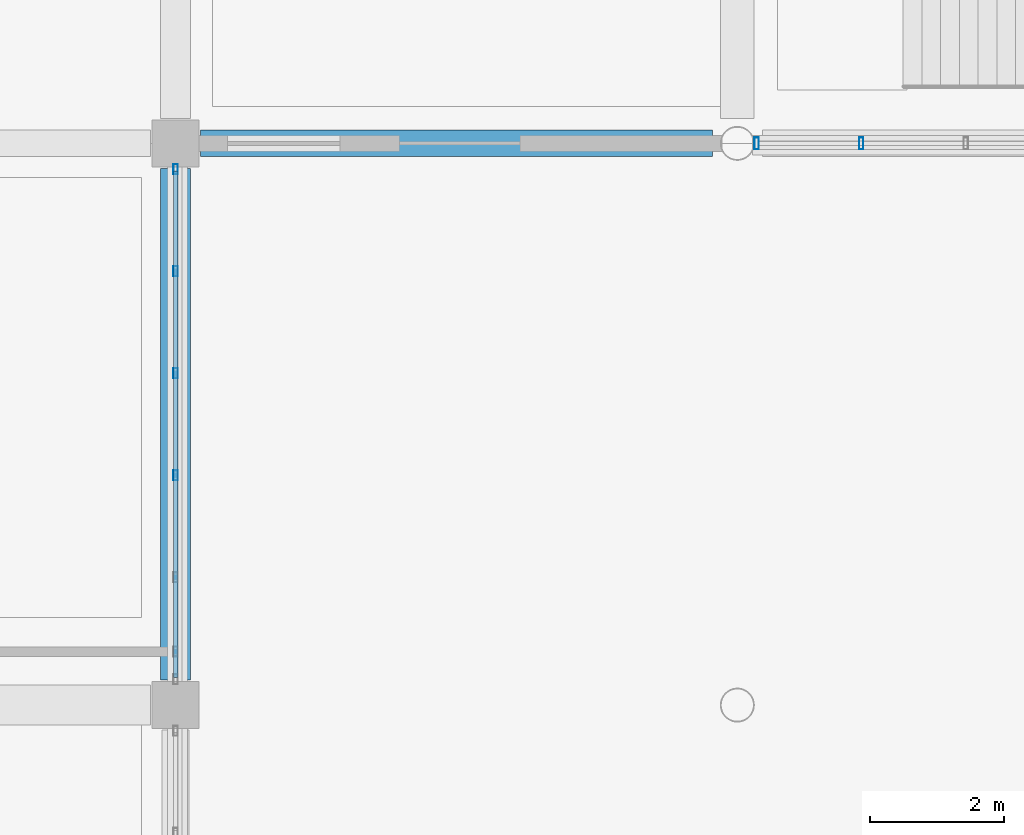
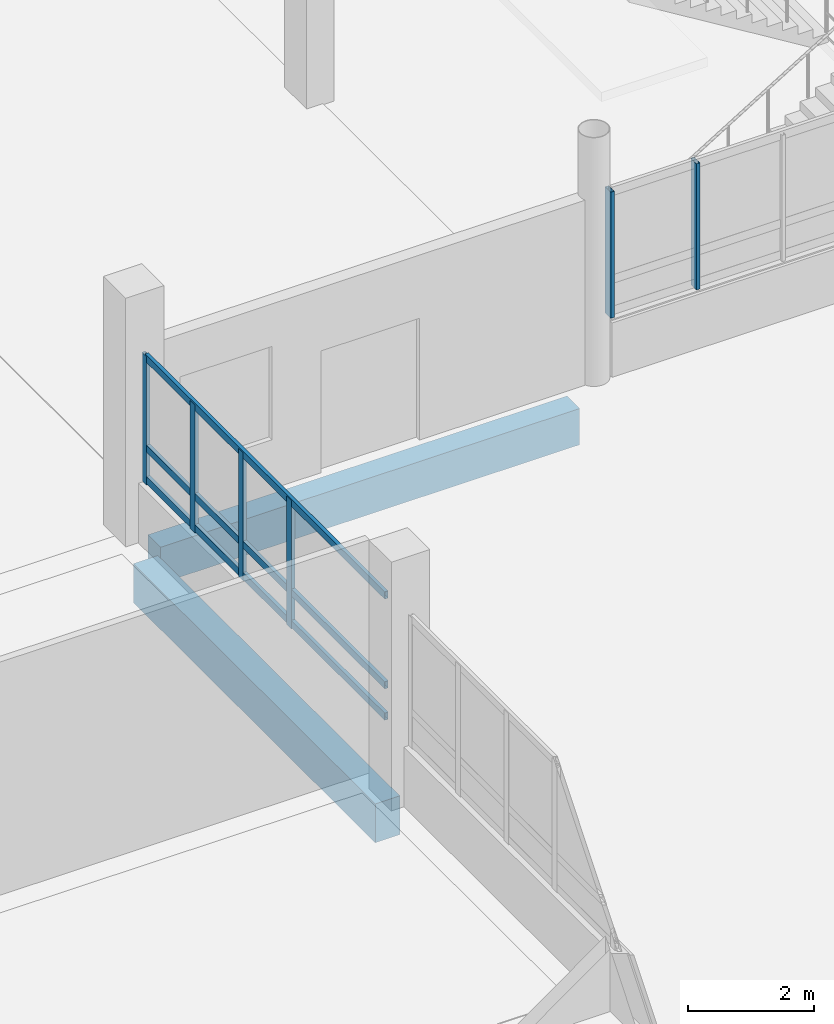
# One storey, part 46 of 95: 9 members, 2 beams, 2 elements without a shape of their own.
"""IFC4 building model written with IfcOpenShell, lengths in metres."""

from ifc_helpers import new_model, si_unit, direction, frame, origin, origin_2d, place, context, subcontext, project, spatial, rectangle, hollow_rectangle, extrude, material, layer, layer_set, material_profile, profile_set, type_object, element, aggregate, save


model = new_model("IFC4")

# Units and contexts
model_context = context("Model", 3, precision=1e-05, world=origin(), true_north=direction((0.0, 1.0)))
body_context = subcontext(model_context, "Body", "Model", "MODEL_VIEW")
ifc_project = project(units=[si_unit("LENGTHUNIT", "METRE"), si_unit("AREAUNIT", "SQUARE_METRE"), si_unit("VOLUMEUNIT", "CUBIC_METRE"), si_unit("PLANEANGLEUNIT", "RADIAN"), si_unit("MASSUNIT", "GRAM", prefix="KILO")], contexts=[model_context])

# Site, building, storey
site_placement = place(None, origin())
site = spatial("IfcSite", under=ifc_project, at=site_placement, CompositionType="ELEMENT")
building_placement = place(site_placement, origin())
building = spatial("IfcBuilding", under=site, at=building_placement, Name="Vireocrest Preparatory School", CompositionType="ELEMENT")
storey_placement = place(building_placement, origin())
storey = spatial("IfcBuildingStorey", under=building, at=storey_placement, Name="L00", CompositionType="ELEMENT", Elevation=0.0)

# Curtain wall, members
ifc_material_1 = material(Name="Thermally broken aluminium EN AW-6063-T6", Category="aluminium")
ifc_layer_1 = layer(ifc_material_1, 0.179931640625)
ifc_layer_set_1 = layer_set([ifc_layer_1], Name="Thermally broken aluminium EN AW-6063-T6")
curtain_wall_type_1 = type_object("IfcCurtainWallType", Name="Court Banded Curtain Wall 8400x3600", PredefinedType="USERDEFINED", material=ifc_layer_set_1)
curtain_wall_1_placement = place(storey_placement, origin())
curtain_wall_1 = element("IfcCurtainWall", 1, at=curtain_wall_1_placement, inside=storey, type_object=curtain_wall_type_1, Name="Curtain Wall CW01 CW_L00_CW01_0672_0777_012", ObjectType="CURTAIN WALL", PredefinedType="USERDEFINED")
ifc_material_profile_1 = material_profile(ifc_material_1, hollow_rectangle(XDim=0.06494140625, YDim=0.14990234375, WallThickness=0.00390625, at=origin_2d()), Name="ALU 65x150x4")
ifc_profile_set_1 = profile_set([ifc_material_profile_1], Name="Thermally broken aluminium EN AW-6063-T6")
member_type_1 = type_object("IfcMemberType", Name="CW Mullion 65x150x4", PredefinedType="MULLION", material=ifc_profile_set_1)
member_1_placement = place(storey_placement, frame((67.199951171875, 80.8369140625, 1.14990234375), z_axis=(0.0, 0.0, 1.0), x_axis=(1.0, 0.0, 0.0)))
member_1 = element("IfcMember", 2, at=member_1_placement, type_object=member_type_1, Name="CW Mullion ML1 CW_L00_CW01_0672_0777_012-4", PredefinedType="MULLION", context=body_context, shape_type="SweptSolid", body=[
    extrude(hollow_rectangle(XDim=0.06494140625, YDim=0.14990234375, WallThickness=0.00390625, at=origin_2d()), origin(), (0.0, 0.0, 1.0), 2.47509765625),
])
member_2_placement = place(storey_placement, frame((67.199951171875, 82.363037109375, 1.14990234375), z_axis=(0.0, 0.0, 1.0), x_axis=(1.0, 0.0, 0.0)))
member_2 = element("IfcMember", 3, at=member_2_placement, type_object=member_type_1, Name="CW Mullion ML1 CW_L00_CW01_0672_0777_012-5", PredefinedType="MULLION", context=body_context, shape_type="SweptSolid", body=[
    extrude(hollow_rectangle(XDim=0.06494140625, YDim=0.14990234375, WallThickness=0.00390625, at=origin_2d()), origin(), (0.0, 0.0, 1.0), 2.47509765625),
])
member_3_placement = place(storey_placement, frame((67.199951171875, 83.888916015625, 1.14990234375), z_axis=(0.0, 0.0, 1.0), x_axis=(1.0, 0.0, 0.0)))
member_3 = element("IfcMember", 4, at=member_3_placement, type_object=member_type_1, Name="CW Mullion ML1 CW_L00_CW01_0672_0777_012-6", PredefinedType="MULLION", context=body_context, shape_type="SweptSolid", body=[
    extrude(hollow_rectangle(XDim=0.06494140625, YDim=0.14990234375, WallThickness=0.00390625, at=origin_2d()), origin(), (0.0, 0.0, 1.0), 2.47509765625),
])
member_4_placement = place(storey_placement, frame((67.199951171875, 85.4150390625, 1.14990234375), z_axis=(0.0, 0.0, 1.0), x_axis=(1.0, 0.0, 0.0)))
member_4 = element("IfcMember", 5, at=member_4_placement, type_object=member_type_1, Name="CW Mullion ML1 CW_L00_CW01_0672_0777_012-7", PredefinedType="MULLION", context=body_context, shape_type="SweptSolid", body=[
    extrude(hollow_rectangle(XDim=0.06494140625, YDim=0.14990234375, WallThickness=0.00390625, at=origin_2d()), origin(), (0.0, 0.0, 1.0), 2.47509765625),
])

ifc_layer_2 = layer(ifc_material_1, 0.179931640625)
ifc_layer_set_2 = layer_set([ifc_layer_2], Name="Thermally broken aluminium EN AW-6063-T6")
curtain_wall_type_2 = type_object("IfcCurtainWallType", Name="Winter-Garden Curtain Wall 8400x6400", PredefinedType="USERDEFINED", material=ifc_layer_set_2)
curtain_wall_2_placement = place(storey_placement, origin())
curtain_wall_2 = element("IfcCurtainWall", 6, at=curtain_wall_2_placement, inside=storey, type_object=curtain_wall_type_2, Name="Curtain Wall CW06 CW_L00_CW06_0758_0858_011", ObjectType="CURTAIN WALL", PredefinedType="USERDEFINED")
ifc_material_profile_2 = material_profile(ifc_material_1, hollow_rectangle(XDim=0.06494140625, YDim=0.179931640625, WallThickness=0.00390625, at=origin_2d()), Name="ALU 65x180x4")
ifc_profile_set_2 = profile_set([ifc_material_profile_2], Name="Thermally broken aluminium EN AW-6063-T6")
member_type_2 = type_object("IfcMemberType", Name="CW Mullion 65x180x4", PredefinedType="MULLION", material=ifc_profile_set_2)
member_5_placement = place(storey_placement, frame((75.888916015625, 85.800048828125, 1.10009765625), z_axis=(0.0, 0.0, 1.0), x_axis=(1.0, 0.0, 0.0)))
member_5 = element("IfcMember", 7, at=member_5_placement, type_object=member_type_2, Name="CW Mullion ML2 CW_L00_CW06_0758_0858_011-1", PredefinedType="MULLION", context=body_context, shape_type="SweptSolid", body=[
    extrude(hollow_rectangle(XDim=0.06494140625, YDim=0.179931640625, WallThickness=0.00390625, at=origin_2d()), origin(), (0.0, 0.0, 1.0), 2.434814453125),
])
member_6_placement = place(storey_placement, frame((77.453369140625, 85.800048828125, 1.10009765625), z_axis=(0.0, 0.0, 1.0), x_axis=(1.0, 0.0, 0.0)))
member_6 = element("IfcMember", 8, at=member_6_placement, type_object=member_type_2, Name="CW Mullion ML2 CW_L00_CW06_0758_0858_011-2", PredefinedType="MULLION", context=body_context, shape_type="SweptSolid", body=[
    extrude(hollow_rectangle(XDim=0.06494140625, YDim=0.179931640625, WallThickness=0.00390625, at=origin_2d()), origin(), (0.0, 0.0, 1.0), 2.434814453125),
])
aggregate(curtain_wall_2, [member_5, member_6])

# Member
ifc_material_profile_3 = material_profile(ifc_material_1, hollow_rectangle(XDim=0.06494140625, YDim=0.139892578125, WallThickness=0.00390625, at=origin_2d()), Name="ALU 65x140x4")
ifc_profile_set_3 = profile_set([ifc_material_profile_3], Name="Thermally broken aluminium EN AW-6063-T6")
member_type_3 = type_object("IfcMemberType", Name="CW Transom 65x140x4", PredefinedType="USERDEFINED", material=ifc_profile_set_3)
member_7_placement = place(storey_placement, frame((67.199951171875, 77.81005859375, 1.2451171875), z_axis=(0.0, 1.0, 0.0), x_axis=(-1.0, 0.0, 0.0)))
member_7 = element("IfcMember", 9, at=member_7_placement, type_object=member_type_3, Name="CW Transom TR1 CW_L00_CW01_0672_0777_012-1", ObjectType="TRANSOM", PredefinedType="USERDEFINED", context=body_context, shape_type="SweptSolid", body=[
    extrude(hollow_rectangle(XDim=0.06494140625, YDim=0.139892578125, WallThickness=0.00390625, at=origin_2d()), origin(), (0.0, 0.0, 1.0), 7.579833984375),
])

member_8_placement = place(storey_placement, frame((67.199951171875, 77.81005859375, 1.85009765625), z_axis=(0.0, 1.0, 0.0), x_axis=(-1.0, 0.0, 0.0)))
member_8 = element("IfcMember", 10, at=member_8_placement, type_object=member_type_3, Name="CW Transom TR1 CW_L00_CW01_0672_0777_012-2", ObjectType="TRANSOM", PredefinedType="USERDEFINED", context=body_context, shape_type="SweptSolid", body=[
    extrude(hollow_rectangle(XDim=0.06494140625, YDim=0.139892578125, WallThickness=0.00390625, at=origin_2d()), origin(), (0.0, 0.0, 1.0), 7.579833984375),
])

member_9_placement = place(storey_placement, frame((67.199951171875, 77.81005859375, 3.5849609375), z_axis=(0.0, 1.0, 0.0), x_axis=(-1.0, 0.0, 0.0)))
member_9 = element("IfcMember", 11, at=member_9_placement, type_object=member_type_3, Name="CW Transom TR1 CW_L00_CW01_0672_0777_012-3", ObjectType="TRANSOM", PredefinedType="USERDEFINED", context=body_context, shape_type="SweptSolid", body=[
    extrude(hollow_rectangle(XDim=0.06494140625, YDim=0.139892578125, WallThickness=0.00390625, at=origin_2d()), origin(), (0.0, 0.0, 1.0), 7.579833984375),
])

aggregate(curtain_wall_1, [member_1, member_2, member_3, member_4, member_7, member_8, member_9])

# Beams
ifc_material_2 = material(Name="Concrete 40 MPa", Category="concrete")
ifc_material_profile_4 = material_profile(ifc_material_2, rectangle(XDim=0.39990234375, YDim=0.699951171875, at=origin_2d()), Name="RC 400x700")
ifc_profile_set_4 = profile_set([ifc_material_profile_4], Name="Concrete 40 MPa")
beam_type_1 = type_object("IfcBeamType", Name="RC Corridor Girder 400x700", PredefinedType="BEAM", material=ifc_profile_set_4)
beam_1_placement = place(storey_placement, frame((67.574951171875, 85.800048828125, -0.699951171875), z_axis=(1.0, 0.0, 0.0), x_axis=(0.0, 1.0, 0.0)))
element("IfcBeam", 12, at=beam_1_placement, inside=storey, type_object=beam_type_1, Name="Primary Girder B08 L00-0096", PredefinedType="BEAM", context=body_context, shape_type="SweptSolid", body=[
    extrude(rectangle(XDim=0.39990234375, YDim=0.699951171875, at=origin_2d()), origin(), (0.0, 0.0, 1.0), 7.650146484375),
])
ifc_material_profile_5 = material_profile(ifc_material_2, rectangle(XDim=0.449951171875, YDim=0.75, at=origin_2d()), Name="RC 450x750")
ifc_profile_set_5 = profile_set([ifc_material_profile_5], Name="Concrete 40 MPa")
beam_type_2 = type_object("IfcBeamType", Name="RC Library Stack Girder 450x750", PredefinedType="BEAM", material=ifc_profile_set_5)
beam_2_placement = place(storey_placement, frame((67.199951171875, 77.77490234375, -0.72509765625), z_axis=(0.0, 1.0, 0.0), x_axis=(-1.0, 0.0, 0.0)))
element("IfcBeam", 13, at=beam_2_placement, inside=storey, type_object=beam_type_2, Name="Primary Girder B11 L00-0184", PredefinedType="BEAM", context=body_context, shape_type="SweptSolid", body=[
    extrude(rectangle(XDim=0.449951171875, YDim=0.75, at=origin_2d()), origin(), (0.0, 0.0, 1.0), 7.650146484375),
])

save(model, "model.ifc")
